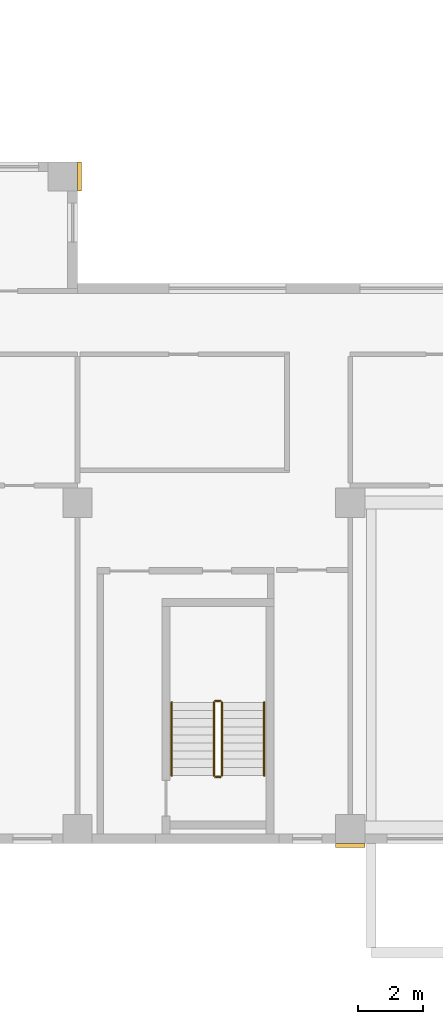
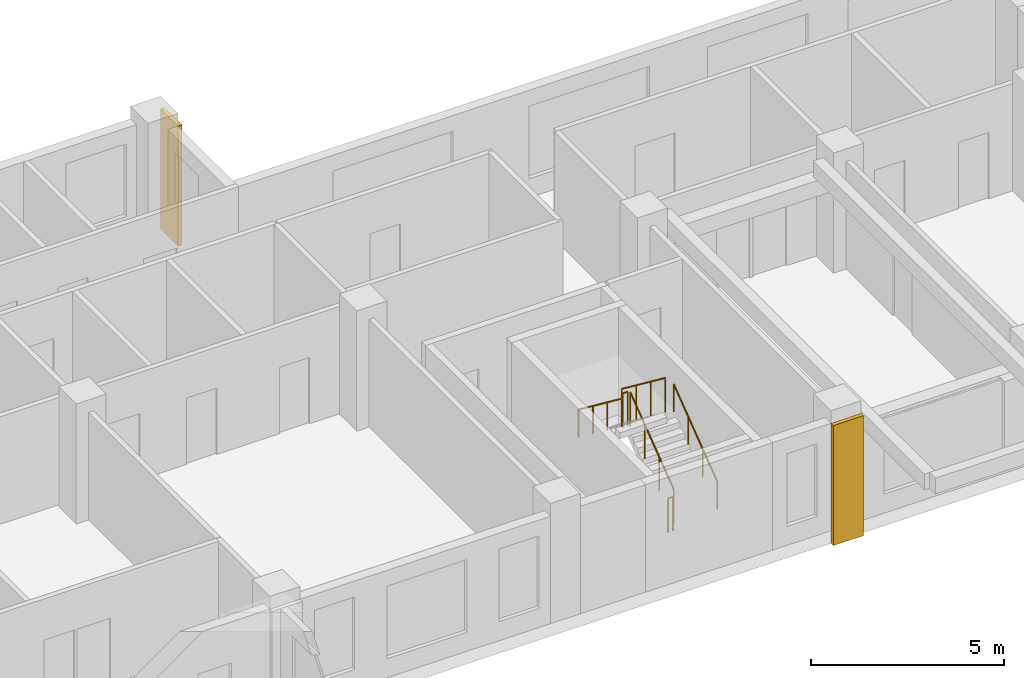
# One storey, part 13 of 14: 6 railings, 2 coverings.
"""IFC4 building model written with IfcOpenShell, lengths in metres."""

from ifc_helpers import new_model, si_unit, direction, frame, origin, origin_2d, place, context, subcontext, project, spatial, rectangle, circle, extrude, source, transform, mapped, material, type_object, element, save


model = new_model("IFC4")

# Units and contexts
model_context = context("Model", 3, precision=1e-05, world=origin(), true_north=direction((0.0, 1.0)))
body_context = subcontext(model_context, "Body", "Model", "MODEL_VIEW")
ifc_project = project(units=[si_unit("LENGTHUNIT", "METRE"), si_unit("AREAUNIT", "SQUARE_METRE"), si_unit("VOLUMEUNIT", "CUBIC_METRE"), si_unit("PLANEANGLEUNIT", "RADIAN"), si_unit("MASSUNIT", "GRAM", prefix="KILO")], contexts=[model_context])

# Site, building, storey
site_placement = place(None, origin())
site = spatial("IfcSite", under=ifc_project, at=site_placement, CompositionType="ELEMENT")
building_placement = place(site_placement, origin())
building = spatial("IfcBuilding", under=site, at=building_placement, Name="Aurelian Terraces", CompositionType="ELEMENT")
storey_placement = place(building_placement, frame((0.0, 0.0, 185.4)))
storey = spatial("IfcBuildingStorey", under=building, at=storey_placement, Name="L40", CompositionType="ELEMENT", Elevation=185.4)

# Coverings
ifc_material_1 = material(Name="Terracotta rainscreen cladding relief", Category="masonry")
covering_type = type_object("IfcCoveringType", Name="BAGUETTE-TC", PredefinedType="CLADDING", material=ifc_material_1)
shared_shape_1 = source(origin(), body_context, "Body", "SweptSolid", [
    extrude(rectangle(XDim=0.9, YDim=0.12, at=origin_2d()), origin(), (0.0, 0.0, 1.0), 3.8),
])
covering_1_placement = place(storey_placement, frame((46.2, -0.06, -0.4), z_axis=(0.0, 0.0, 1.0), x_axis=(1.0, 0.0, 0.0)))
element("IfcCovering", 1, at=covering_1_placement, inside=storey, type_object=covering_type, Name="BAGUETTE pier L40 3", PredefinedType="CLADDING", context=body_context, shape_type="MappedRepresentation", body=[
    mapped(shared_shape_1, transform((0.0, 0.0, 0.0), scale=1.0)),
])
shared_shape_2 = source(origin(), body_context, "Body", "SweptSolid", [
    extrude(rectangle(XDim=0.12, YDim=0.9, at=origin_2d()), origin(), (0.0, 0.0, 1.0), 3.8),
])
covering_2_placement = place(storey_placement, frame((37.86, 20.55, -0.4), z_axis=(0.0, 0.0, 1.0), x_axis=(1.0, 0.0, 0.0)))
element("IfcCovering", 2, at=covering_2_placement, inside=storey, type_object=covering_type, Name="BAGUETTE pier L40 6", PredefinedType="CLADDING", context=body_context, shape_type="MappedRepresentation", body=[
    mapped(shared_shape_2, transform((0.0, 0.0, 0.0), scale=1.0)),
])

# Railings
ifc_material_2 = material(Name="Stainless steel", Category="steel")
railing_type_1 = type_object("IfcRailingType", Name="Stair guard 1100", PredefinedType="GUARDRAIL", material=ifc_material_2)
shared_shape_3 = source(origin(), body_context, "Body", "SweptSolid", [
    extrude(circle(Radius=0.024, at=origin_2d()), frame((0.0, 0.0, 1.076), z_axis=(-1.0, 0.0, 0.0), x_axis=(0.0, -1.0, 0.0)), (0.0, 0.0, 1.0), 0.15),
    extrude(circle(Radius=0.021, at=origin_2d()), origin(), (0.0, 0.0, 1.0), 1.052),
    extrude(circle(Radius=0.021, at=origin_2d()), frame((-0.15, 0.0, 0.0)), (0.0, 0.0, 1.0), 1.052),
])
for number, where, name in (
    (3, (42.2, 4.4, 1.9), "L40 S2 stair guard 2"),
    (4, (42.2, 2.05, 0.0), "L40 S2 stair guard 4"),
):
    element("IfcRailing", number, at=place(storey_placement, frame(where)), inside=storey, type_object=railing_type_1, Name=name, PredefinedType="GUARDRAIL", context=body_context, shape_type="MappedRepresentation", body=[
        mapped(shared_shape_3, transform((0.0, 0.0, 0.0), scale=1.0)),
    ])
shared_shape_4 = source(origin(), body_context, "Body", "SweptSolid", [
    extrude(circle(Radius=0.024, at=origin_2d()), frame((0.0, 0.0, 1.076), z_axis=(0.0, 0.796162194123, 0.605083267534), x_axis=(-1.0, 0.0, 0.0)), (0.0, 0.0, 1.0), 2.8261),
    extrude(circle(Radius=0.021, at=origin_2d()), origin(), (0.0, 0.0, 1.0), 1.052),
    extrude(circle(Radius=0.021, at=origin_2d()), frame((0.0, 0.75, 0.57)), (0.0, 0.0, 1.0), 1.052),
    extrude(circle(Radius=0.021, at=origin_2d()), frame((0.0, 1.5, 1.14)), (0.0, 0.0, 1.0), 1.052),
    extrude(circle(Radius=0.021, at=origin_2d()), frame((0.0, 2.25, 1.71)), (0.0, 0.0, 1.0), 1.052),
])
railing_1_placement = place(storey_placement, frame((42.25, 2.1, 0.19)))
element("IfcRailing", 5, at=railing_1_placement, inside=storey, type_object=railing_type_1, Name="L40 S2 stair guard 1", PredefinedType="GUARDRAIL", context=body_context, shape_type="MappedRepresentation", body=[
    mapped(shared_shape_4, transform((0.0, 0.0, 0.0), scale=1.0)),
])
shared_shape_5 = source(origin(), body_context, "Body", "SweptSolid", [
    extrude(circle(Radius=0.024, at=origin_2d()), frame((0.0, 0.0, 1.076), z_axis=(0.0, -0.796162194123, 0.605083267534), x_axis=(1.0, 0.0, 0.0)), (0.0, 0.0, 1.0), 2.8261),
    extrude(circle(Radius=0.021, at=origin_2d()), origin(), (0.0, 0.0, 1.0), 1.052),
    extrude(circle(Radius=0.021, at=origin_2d()), frame((0.0, -0.75, 0.57)), (0.0, 0.0, 1.0), 1.052),
    extrude(circle(Radius=0.021, at=origin_2d()), frame((0.0, -1.5, 1.14)), (0.0, 0.0, 1.0), 1.052),
    extrude(circle(Radius=0.021, at=origin_2d()), frame((0.0, -2.25, 1.71)), (0.0, 0.0, 1.0), 1.052),
])
railing_2_placement = place(storey_placement, frame((42.0, 4.35, 2.09)))
element("IfcRailing", 6, at=railing_2_placement, inside=storey, type_object=railing_type_1, Name="L40 S2 stair guard 3", PredefinedType="GUARDRAIL", context=body_context, shape_type="MappedRepresentation", body=[
    mapped(shared_shape_5, transform((0.0, 0.0, 0.0), scale=1.0)),
])
railing_type_2 = type_object("IfcRailingType", Name="Stair handrail", PredefinedType="HANDRAIL", material=ifc_material_2)
shared_shape_6 = source(origin(), body_context, "Body", "SweptSolid", [
    extrude(circle(Radius=0.024, at=origin_2d()), frame((0.0, 0.0, 0.876), z_axis=(0.0, 0.796162194123, 0.605083267534), x_axis=(-1.0, 0.0, 0.0)), (0.0, 0.0, 1.0), 2.8261),
    extrude(circle(Radius=0.021, at=origin_2d()), origin(), (0.0, 0.0, 1.0), 0.852),
    extrude(circle(Radius=0.021, at=origin_2d()), frame((0.0, 0.75, 0.57)), (0.0, 0.0, 1.0), 0.852),
    extrude(circle(Radius=0.021, at=origin_2d()), frame((0.0, 1.5, 1.14)), (0.0, 0.0, 1.0), 0.852),
    extrude(circle(Radius=0.021, at=origin_2d()), frame((0.0, 2.25, 1.71)), (0.0, 0.0, 1.0), 0.852),
])
railing_3_placement = place(storey_placement, frame((43.55, 2.1, 0.19)))
element("IfcRailing", 7, at=railing_3_placement, inside=storey, type_object=railing_type_2, Name="L40 S2 stair handrail 1", PredefinedType="HANDRAIL", context=body_context, shape_type="MappedRepresentation", body=[
    mapped(shared_shape_6, transform((0.0, 0.0, 0.0), scale=1.0)),
])
shared_shape_7 = source(origin(), body_context, "Body", "SweptSolid", [
    extrude(circle(Radius=0.024, at=origin_2d()), frame((0.0, 0.0, 0.876), z_axis=(0.0, -0.796162194123, 0.605083267534), x_axis=(1.0, 0.0, 0.0)), (0.0, 0.0, 1.0), 2.8261),
    extrude(circle(Radius=0.021, at=origin_2d()), origin(), (0.0, 0.0, 1.0), 0.852),
    extrude(circle(Radius=0.021, at=origin_2d()), frame((0.0, -0.75, 0.57)), (0.0, 0.0, 1.0), 0.852),
    extrude(circle(Radius=0.021, at=origin_2d()), frame((0.0, -1.5, 1.14)), (0.0, 0.0, 1.0), 0.852),
    extrude(circle(Radius=0.021, at=origin_2d()), frame((0.0, -2.25, 1.71)), (0.0, 0.0, 1.0), 0.852),
])
railing_4_placement = place(storey_placement, frame((40.7, 4.35, 2.09)))
element("IfcRailing", 8, at=railing_4_placement, inside=storey, type_object=railing_type_2, Name="L40 S2 stair handrail 2", PredefinedType="HANDRAIL", context=body_context, shape_type="MappedRepresentation", body=[
    mapped(shared_shape_7, transform((0.0, 0.0, 0.0), scale=1.0)),
])

save(model, "model.ifc")
